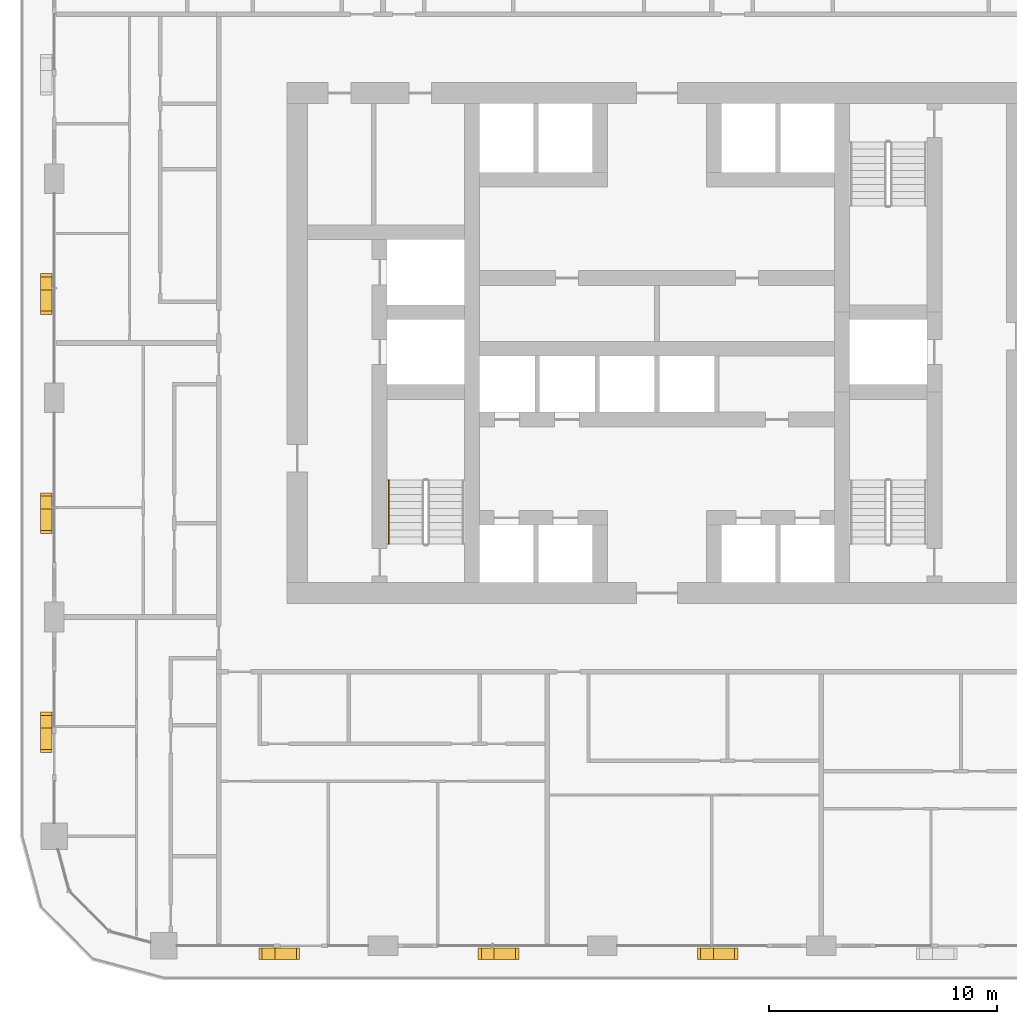
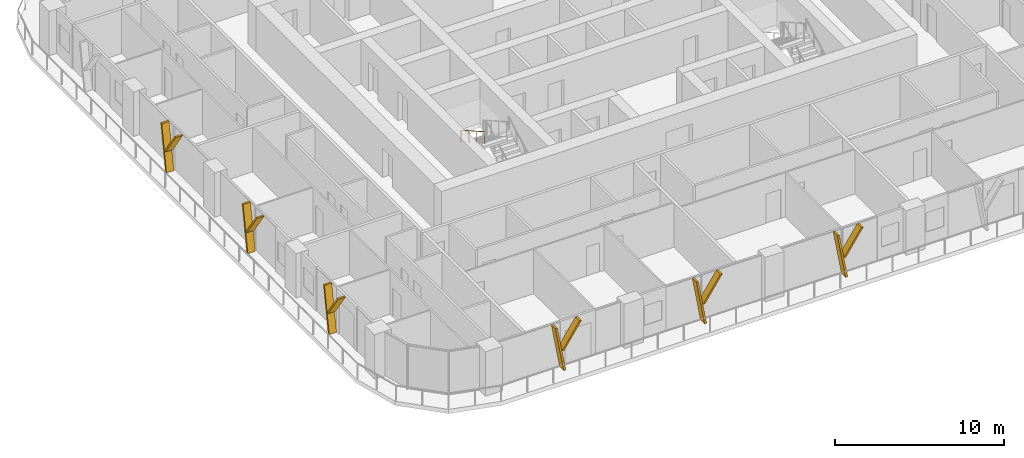
# One storey, part 17 of 22: 12 shading devices, 1 railing.
"""IFC4 building model written with IfcOpenShell, lengths in metres."""

from ifc_helpers import new_model, si_unit, direction, frame, origin, origin_2d, place, context, subcontext, project, spatial, polyline, circle, outline, extrude, material, type_object, element, save


model = new_model("IFC4")

# Units and contexts
model_context = context("Model", 3, precision=1e-05, world=origin(), true_north=direction((0.0, 1.0)))
body_context = subcontext(model_context, "Body", "Model", "MODEL_VIEW")
ifc_project = project(units=[si_unit("LENGTHUNIT", "METRE"), si_unit("AREAUNIT", "SQUARE_METRE"), si_unit("VOLUMEUNIT", "CUBIC_METRE"), si_unit("PLANEANGLEUNIT", "RADIAN"), si_unit("MASSUNIT", "GRAM", prefix="KILO")], contexts=[model_context])

# Site, building, storey
site_placement = place(None, origin())
site = spatial("IfcSite", under=ifc_project, at=site_placement, CompositionType="ELEMENT")
building_placement = place(site_placement, origin())
building = spatial("IfcBuilding", under=site, at=building_placement, Name="Madar Terraces", CompositionType="ELEMENT")
storey_placement = place(building_placement, frame((0.0, 0.0, 73.300048828125)))
storey = spatial("IfcBuildingStorey", under=building, at=storey_placement, Name="L18", CompositionType="ELEMENT", Elevation=73.300048828125)

# Shading devices
ifc_material_1 = material(Name="Aluminium, black anodised", Category="aluminium")
shading_device_type = type_object("IfcShadingDeviceType", Name="Facade fin blade 140 x 500", PredefinedType="USERDEFINED", material=ifc_material_1)
shading_device_1_placement = place(storey_placement, frame((14.330078125, -0.35009765625, 0.0), z_axis=(0.0, 0.0, 1.0), x_axis=(1.0, 0.0, 0.0)))
element("IfcShadingDevice", 1, at=shading_device_1_placement, inside=storey, type_object=shading_device_type, Name="FIN L18 S1", ObjectType="FIN", PredefinedType="USERDEFINED", context=body_context, shape_type="SweptSolid", body=[
    extrude(outline(polyline([(0.0, 0.0), (0.139892578125, 0.0), (-0.42431640625, 3.199951171875), (-0.564208984375, 3.199951171875), (0.0, 0.0)])), frame((0.0, 0.25, 0.0), z_axis=(0.0, -1.0, 0.0), x_axis=(1.0, 0.0, 0.0)), (0.0, 0.0, 1.0), 0.5),
])
shading_device_2_placement = place(storey_placement, frame((14.216064453125, -0.35009765625, 1.43994140625), z_axis=(0.0, 0.0, 1.0), x_axis=(1.0, 0.0, 0.0)))
element("IfcShadingDevice", 2, at=shading_device_2_placement, inside=storey, type_object=shading_device_type, Name="FIN L18 S1 branch", ObjectType="FIN", PredefinedType="USERDEFINED", context=body_context, shape_type="SweptSolid", body=[
    extrude(outline(polyline([(0.0, 0.0), (0.14013671875, 0.0), (1.32958984375, 1.760009765625), (1.189697265625, 1.760009765625), (0.0, 0.0)])), frame((0.0, 0.25, 0.0), z_axis=(0.0, -1.0, 0.0), x_axis=(1.0, 0.0, 0.0)), (0.0, 0.0, 1.0), 0.5),
])
shading_device_3_placement = place(storey_placement, frame((23.929931640625, -0.35009765625, 0.0), z_axis=(0.0, 0.0, 1.0), x_axis=(1.0, 0.0, 0.0)))
element("IfcShadingDevice", 3, at=shading_device_3_placement, inside=storey, type_object=shading_device_type, Name="FIN L18 S2", ObjectType="FIN", PredefinedType="USERDEFINED", context=body_context, shape_type="SweptSolid", body=[
    extrude(outline(polyline([(0.0, 0.0), (0.14013671875, 0.0), (-0.42431640625, 3.199951171875), (-0.564208984375, 3.199951171875), (0.0, 0.0)])), frame((0.0, 0.25, 0.0), z_axis=(0.0, -1.0, 0.0), x_axis=(1.0, 0.0, 0.0)), (0.0, 0.0, 1.0), 0.5),
])
shading_device_4_placement = place(storey_placement, frame((23.816162109375, -0.35009765625, 1.43994140625), z_axis=(0.0, 0.0, 1.0), x_axis=(1.0, 0.0, 0.0)))
element("IfcShadingDevice", 4, at=shading_device_4_placement, inside=storey, type_object=shading_device_type, Name="FIN L18 S2 branch", ObjectType="FIN", PredefinedType="USERDEFINED", context=body_context, shape_type="SweptSolid", body=[
    extrude(outline(polyline([(0.0, 0.0), (0.139892578125, 0.0), (1.32958984375, 1.760009765625), (1.189697265625, 1.760009765625), (0.0, 0.0)])), frame((0.0, 0.25, 0.0), z_axis=(0.0, -1.0, 0.0), x_axis=(1.0, 0.0, 0.0)), (0.0, 0.0, 1.0), 0.5),
])
shading_device_5_placement = place(storey_placement, frame((33.530029296875, -0.35009765625, 0.0), z_axis=(0.0, 0.0, 1.0), x_axis=(1.0, 0.0, 0.0)))
element("IfcShadingDevice", 5, at=shading_device_5_placement, inside=storey, type_object=shading_device_type, Name="FIN L18 S3", ObjectType="FIN", PredefinedType="USERDEFINED", context=body_context, shape_type="SweptSolid", body=[
    extrude(outline(polyline([(0.0, 0.0), (0.139892578125, 0.0), (-0.42431640625, 3.199951171875), (-0.564208984375, 3.199951171875), (0.0, 0.0)])), frame((0.0, 0.25, 0.0), z_axis=(0.0, -1.0, 0.0), x_axis=(1.0, 0.0, 0.0)), (0.0, 0.0, 1.0), 0.5),
])
shading_device_6_placement = place(storey_placement, frame((33.416015625, -0.35009765625, 1.43994140625), z_axis=(0.0, 0.0, 1.0), x_axis=(1.0, 0.0, 0.0)))
element("IfcShadingDevice", 6, at=shading_device_6_placement, inside=storey, type_object=shading_device_type, Name="FIN L18 S3 branch", ObjectType="FIN", PredefinedType="USERDEFINED", context=body_context, shape_type="SweptSolid", body=[
    extrude(outline(polyline([(0.0, 0.0), (0.14013671875, 0.0), (1.32958984375, 1.760009765625), (1.189697265625, 1.760009765625), (0.0, 0.0)])), frame((0.0, 0.25, 0.0), z_axis=(0.0, -1.0, 0.0), x_axis=(1.0, 0.0, 0.0)), (0.0, 0.0, 1.0), 0.5),
])
shading_device_7_placement = place(storey_placement, frame((4.449951171875, 28.8701171875, 0.0), z_axis=(0.0, 0.0, 1.0), x_axis=(0.0, -1.0, 0.0)))
element("IfcShadingDevice", 7, at=shading_device_7_placement, inside=storey, type_object=shading_device_type, Name="FIN L18 W2", ObjectType="FIN", PredefinedType="USERDEFINED", context=body_context, shape_type="SweptSolid", body=[
    extrude(outline(polyline([(0.0, 0.0), (0.14013671875, 0.0), (-0.42431640625, 3.199951171875), (-0.564208984375, 3.199951171875), (0.0, 0.0)])), frame((0.0, 0.25, 0.0), z_axis=(0.0, -1.0, 0.0), x_axis=(1.0, 0.0, 0.0)), (0.0, 0.0, 1.0), 0.5),
])
shading_device_8_placement = place(storey_placement, frame((4.449951171875, 28.98388671875, 1.43994140625), z_axis=(0.0, 0.0, 1.0), x_axis=(0.0, -1.0, 0.0)))
element("IfcShadingDevice", 8, at=shading_device_8_placement, inside=storey, type_object=shading_device_type, Name="FIN L18 W2 branch", ObjectType="FIN", PredefinedType="USERDEFINED", context=body_context, shape_type="SweptSolid", body=[
    extrude(outline(polyline([(0.0, 0.0), (0.139892578125, 0.0), (1.32958984375, 1.760009765625), (1.189697265625, 1.760009765625), (0.0, 0.0)])), frame((0.0, 0.25, 0.0), z_axis=(0.0, -1.0, 0.0), x_axis=(1.0, 0.0, 0.0)), (0.0, 0.0, 1.0), 0.5),
])
shading_device_9_placement = place(storey_placement, frame((4.449951171875, 19.27001953125, 0.0), z_axis=(0.0, 0.0, 1.0), x_axis=(0.0, -1.0, 0.0)))
element("IfcShadingDevice", 9, at=shading_device_9_placement, inside=storey, type_object=shading_device_type, Name="FIN L18 W3", ObjectType="FIN", PredefinedType="USERDEFINED", context=body_context, shape_type="SweptSolid", body=[
    extrude(outline(polyline([(0.0, 0.0), (0.14013671875, 0.0), (-0.42431640625, 3.199951171875), (-0.564208984375, 3.199951171875), (0.0, 0.0)])), frame((0.0, 0.25, 0.0), z_axis=(0.0, -1.0, 0.0), x_axis=(1.0, 0.0, 0.0)), (0.0, 0.0, 1.0), 0.5),
])
shading_device_10_placement = place(storey_placement, frame((4.449951171875, 19.3837890625, 1.43994140625), z_axis=(0.0, 0.0, 1.0), x_axis=(0.0, -1.0, 0.0)))
element("IfcShadingDevice", 10, at=shading_device_10_placement, inside=storey, type_object=shading_device_type, Name="FIN L18 W3 branch", ObjectType="FIN", PredefinedType="USERDEFINED", context=body_context, shape_type="SweptSolid", body=[
    extrude(outline(polyline([(0.0, 0.0), (0.139892578125, 0.0), (1.32958984375, 1.760009765625), (1.189697265625, 1.760009765625), (0.0, 0.0)])), frame((0.0, 0.25, 0.0), z_axis=(0.0, -1.0, 0.0), x_axis=(1.0, 0.0, 0.0)), (0.0, 0.0, 1.0), 0.5),
])
shading_device_11_placement = place(storey_placement, frame((4.449951171875, 9.669921875, 0.0), z_axis=(0.0, 0.0, 1.0), x_axis=(0.0, -1.0, 0.0)))
element("IfcShadingDevice", 11, at=shading_device_11_placement, inside=storey, type_object=shading_device_type, Name="FIN L18 W4", ObjectType="FIN", PredefinedType="USERDEFINED", context=body_context, shape_type="SweptSolid", body=[
    extrude(outline(polyline([(0.0, 0.0), (0.139892578125, 0.0), (-0.42431640625, 3.199951171875), (-0.564208984375, 3.199951171875), (0.0, 0.0)])), frame((0.0, 0.25, 0.0), z_axis=(0.0, -1.0, 0.0), x_axis=(1.0, 0.0, 0.0)), (0.0, 0.0, 1.0), 0.5),
])
shading_device_12_placement = place(storey_placement, frame((4.449951171875, 9.783935546875, 1.43994140625), z_axis=(0.0, 0.0, 1.0), x_axis=(0.0, -1.0, 0.0)))
element("IfcShadingDevice", 12, at=shading_device_12_placement, inside=storey, type_object=shading_device_type, Name="FIN L18 W4 branch", ObjectType="FIN", PredefinedType="USERDEFINED", context=body_context, shape_type="SweptSolid", body=[
    extrude(outline(polyline([(0.0, 0.0), (0.14013671875, 0.0), (1.32958984375, 1.760009765625), (1.189697265625, 1.760009765625), (0.0, 0.0)])), frame((0.0, 0.25, 0.0), z_axis=(0.0, -1.0, 0.0), x_axis=(1.0, 0.0, 0.0)), (0.0, 0.0, 1.0), 0.5),
])

# Railing
ifc_material_2 = material(Name="Stainless steel railing", Category="steel")
railing_type = type_object("IfcRailingType", Name="Stair handrail 900", PredefinedType="HANDRAIL", material=ifc_material_2)
railing_placement = place(storey_placement, frame((19.449951171875, 20.389892578125, 1.925048828125)))
element("IfcRailing", 13, at=railing_placement, inside=storey, type_object=railing_type, Name="L18 ST1 stair handrail 2", PredefinedType="HANDRAIL", context=body_context, shape_type="SweptSolid", body=[
    extrude(circle(Radius=0.02392578125, at=origin_2d()), frame((0.0, 0.0, 0.8759765625), z_axis=(0.0, -0.870815363784, 0.491610213684), x_axis=(1.0, 0.0, 0.0)), (0.0, 0.0, 1.0), 3.20361328125),
    extrude(circle(Radius=0.02099609375, at=origin_2d()), origin(), (0.0, 0.0, 1.0), 0.851806640625),
    extrude(circle(Radius=0.02099609375, at=origin_2d()), frame((0.0, -0.929931640625, 0.52490234375)), (0.0, 0.0, 1.0), 0.851806640625),
    extrude(circle(Radius=0.02099609375, at=origin_2d()), frame((0.0, -1.85986328125, 1.050048828125)), (0.0, 0.0, 1.0), 0.851806640625),
    extrude(circle(Radius=0.02099609375, at=origin_2d()), frame((0.0, -2.789794921875, 1.574951171875)), (0.0, 0.0, 1.0), 0.851806640625),
])

save(model, "model.ifc")
